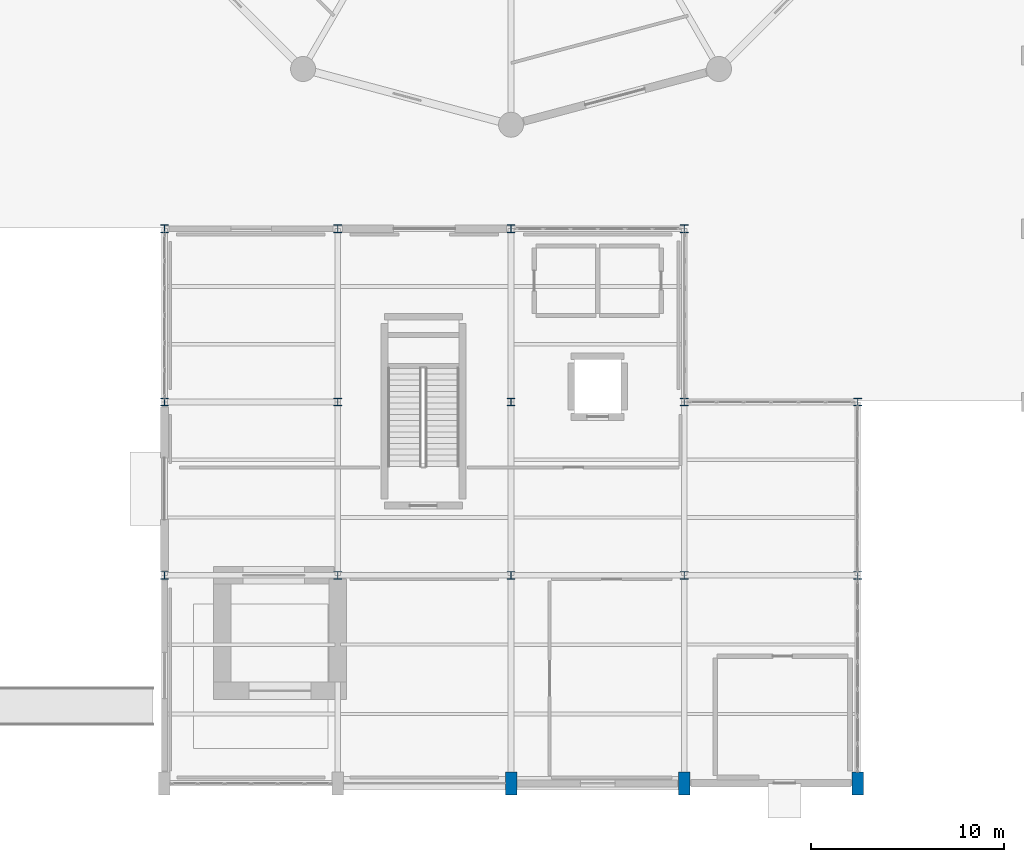
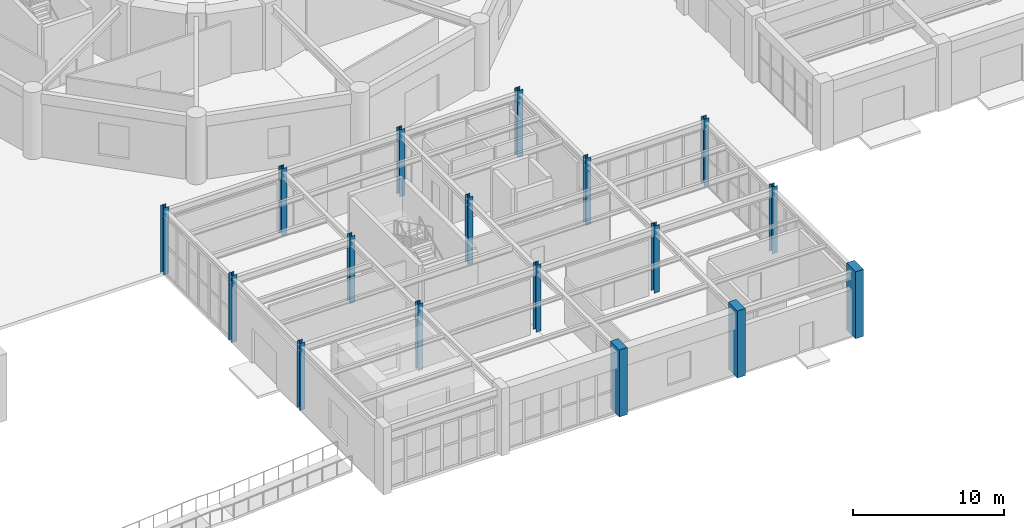
# One storey, part 2 of 140: 17 columns.
"""IFC4 building model written with IfcOpenShell, lengths in metres."""

from ifc_helpers import new_model, si_unit, direction, frame, origin, origin_2d, place, context, subcontext, project, spatial, rectangle, i_section, extrude, material, material_profile, profile_set, type_object, element, save


model = new_model("IFC4")

# Units and contexts
model_context = context("Model", 3, precision=1e-05, world=origin(), true_north=direction((0.0, 1.0)))
body_context = subcontext(model_context, "Body", "Model", "MODEL_VIEW")
ifc_project = project(units=[si_unit("LENGTHUNIT", "METRE"), si_unit("AREAUNIT", "SQUARE_METRE"), si_unit("VOLUMEUNIT", "CUBIC_METRE"), si_unit("PLANEANGLEUNIT", "RADIAN"), si_unit("MASSUNIT", "GRAM", prefix="KILO")], contexts=[model_context])

# Site, building, storey
site_placement = place(None, origin())
site = spatial("IfcSite", under=ifc_project, at=site_placement, CompositionType="ELEMENT")
building_placement = place(site_placement, origin())
building = spatial("IfcBuilding", under=site, at=building_placement, Name="Haizhuo Lancet Aquarium", CompositionType="ELEMENT")
storey_placement = place(building_placement, origin())
storey = spatial("IfcBuildingStorey", under=building, at=storey_placement, Name="L00", CompositionType="ELEMENT", Elevation=0.0)

# Columns
ifc_material_1 = material(Name="Steel S355", Category="steel")
ifc_material_profile_1 = material_profile(ifc_material_1, i_section(OverallWidth=0.39990234375, OverallDepth=0.39990234375, WebThickness=0.012939453125, FlangeThickness=0.02099609375, FilletRadius=0.02197265625, at=origin_2d()), Name="HW 400x400x13x21")
ifc_profile_set_1 = profile_set([ifc_material_profile_1], Name="Steel S355")
column_type_1 = type_object("IfcColumnType", Name="COL-ST-HW400", PredefinedType="COLUMN", material=ifc_profile_set_1)
for number, where, z_axis, x_axis, name in (
    (1, (-18.0, -45.0, 0.0), (0.0, 0.0, 1.0), (1.0, 0.0, 0.0), "L00 column V4-COL-067"),
    (2, (-18.0, -36.0, 0.0), (0.0, 0.0, 1.0), (1.0, 0.0, 0.0), "L00 column V4-COL-068"),
    (3, (-18.0, -27.0, 0.0), (0.0, 0.0, 1.0), (1.0, 0.0, 0.0), "L00 column V4-COL-069"),
    (4, (-9.0, -45.0, 0.0), (0.0, 0.0, 1.0), (1.0, 0.0, 0.0), "L00 column V4-COL-071"),
    (5, (-9.0, -36.0, 0.0), (0.0, 0.0, 1.0), (1.0, 0.0, 0.0), "L00 column V4-COL-072"),
    (6, (-9.0, -27.0, 0.0), (0.0, 0.0, 1.0), (1.0, 0.0, 0.0), "L00 column V4-COL-073"),
    (7, (0.0, -45.0, 0.0), (0.0, 0.0, 1.0), (1.0, 0.0, 0.0), "L00 column V4-COL-075"),
    (8, (0.0, -36.0, 0.0), (0.0, 0.0, 1.0), (1.0, 0.0, 0.0), "L00 column V4-COL-076"),
    (9, (0.0, -27.0, 0.0), (0.0, 0.0, 1.0), (1.0, 0.0, 0.0), "L00 column V4-COL-077"),
    (10, (9.0, -45.0, 0.0), (0.0, 0.0, 1.0), (1.0, 0.0, 0.0), "L00 column V4-COL-079"),
    (11, (9.0, -36.0, 0.0), (0.0, 0.0, 1.0), (1.0, 0.0, 0.0), "L00 column V4-COL-080"),
    (12, (9.0, -27.0, 0.0), (0.0, 0.0, 1.0), (1.0, 0.0, 0.0), "L00 column V4-COL-081"),
    (13, (18.0, -45.0, 0.0), (0.0, 0.0, 1.0), (1.0, 0.0, 0.0), "L00 column V4-COL-083"),
    (14, (18.0, -36.0, 0.0), (0.0, 0.0, 1.0), (1.0, 0.0, 0.0), "L00 column V4-COL-084"),
):
    element("IfcColumn", number, at=place(storey_placement, frame(where, z_axis=z_axis, x_axis=x_axis)), inside=storey, type_object=column_type_1, Name=name, PredefinedType="COLUMN", context=body_context, shape_type="SweptSolid", body=[
        extrude(i_section(OverallWidth=0.39990234375, OverallDepth=0.39990234375, WebThickness=0.012939453125, FlangeThickness=0.02099609375, FilletRadius=0.02197265625, at=origin_2d()), origin(), (0.0, 0.0, 1.0), 5.39990234375),
    ])
ifc_material_2 = material(Name="Concrete C45/55", Category="concrete")
ifc_material_profile_2 = material_profile(ifc_material_2, rectangle(XDim=0.60009765625, YDim=1.199951171875, at=origin_2d()), Name="RC-PIL 600x1200")
ifc_profile_set_2 = profile_set([ifc_material_profile_2], Name="Concrete C45/55")
column_type_2 = type_object("IfcColumnType", Name="PIL-RC-600x1200", PredefinedType="PILASTER", material=ifc_profile_set_2)
for number, where, z_axis, x_axis, name in (
    (15, (0.0, -55.800048828125, 0.0), (0.0, 0.0, 1.0), (1.0, 0.0, 0.0), "L00 column V4-COL-074"),
    (16, (9.0, -55.800048828125, 0.0), (0.0, 0.0, 1.0), (1.0, 0.0, 0.0), "L00 column V4-COL-078"),
    (17, (18.0, -55.800048828125, 0.0), (0.0, 0.0, 1.0), (1.0, 0.0, 0.0), "L00 column V4-COL-082"),
):
    element("IfcColumn", number, at=place(storey_placement, frame(where, z_axis=z_axis, x_axis=x_axis)), inside=storey, type_object=column_type_2, Name=name, PredefinedType="PILASTER", context=body_context, shape_type="SweptSolid", body=[
        extrude(rectangle(XDim=0.60009765625, YDim=1.199951171875, at=origin_2d()), origin(), (0.0, 0.0, 1.0), 5.39990234375),
    ])

save(model, "model.ifc")
